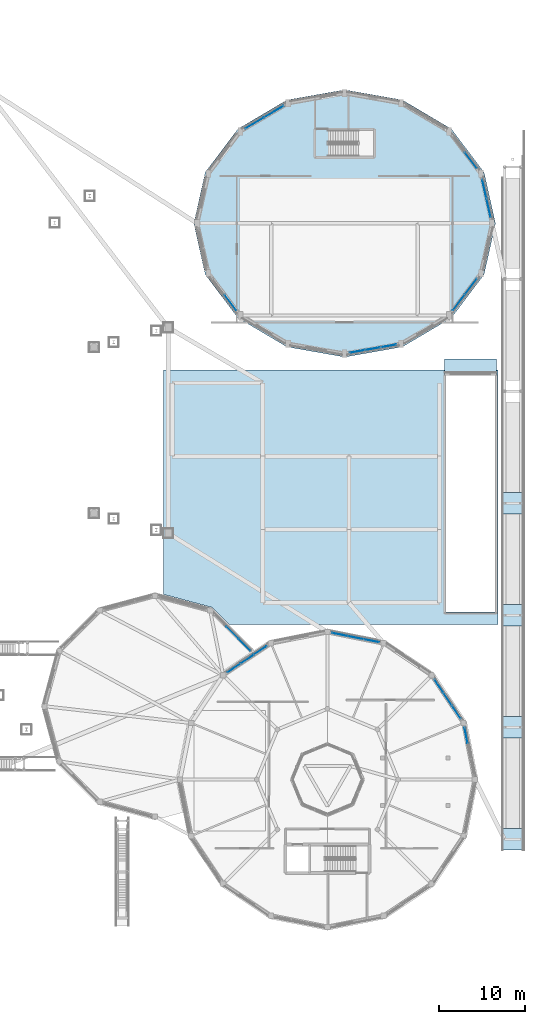
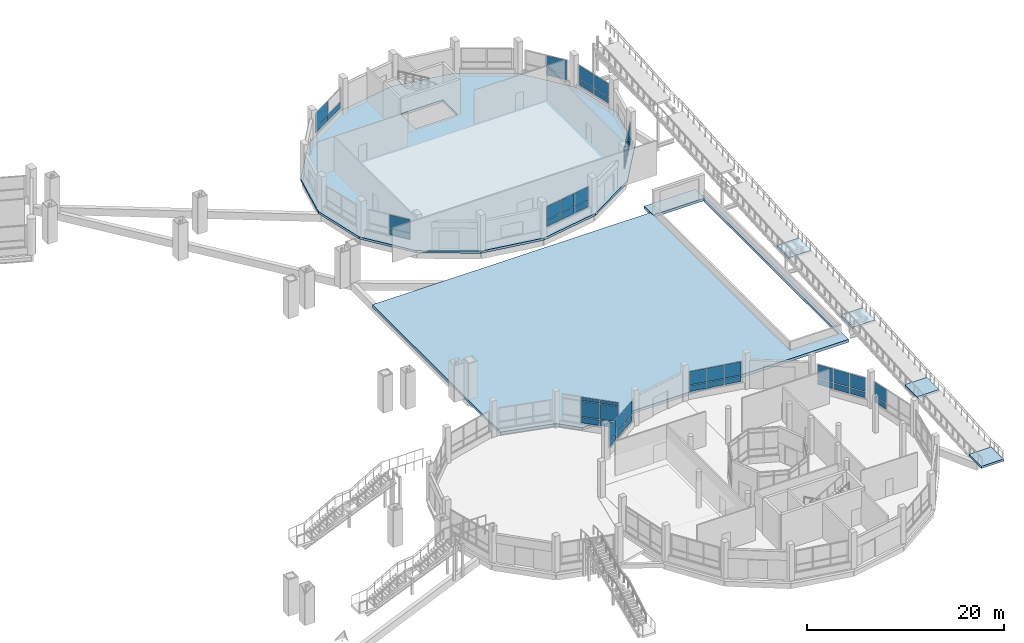
# One storey, part 103 of 129: 47 plates, 7 slabs, 12 elements without a shape of their own.
"""IFC4 building model written with IfcOpenShell, lengths in metres."""

from ifc_helpers import new_model, si_unit, direction, frame, origin, origin_2d, place, context, subcontext, project, spatial, polyline, rectangle, outline, extrude, material, layer, layer_set, type_object, element, aggregate, save


model = new_model("IFC4")

# Units and contexts
model_context = context("Model", 3, precision=1e-05, world=origin(), true_north=direction((0.0, 1.0)))
body_context = subcontext(model_context, "Body", "Model", "MODEL_VIEW")
ifc_project = project(units=[si_unit("LENGTHUNIT", "METRE"), si_unit("AREAUNIT", "SQUARE_METRE"), si_unit("VOLUMEUNIT", "CUBIC_METRE"), si_unit("PLANEANGLEUNIT", "RADIAN"), si_unit("MASSUNIT", "GRAM", prefix="KILO")], contexts=[model_context])

# Site, building, storey
site_placement = place(None, origin())
site = spatial("IfcSite", under=ifc_project, at=site_placement, CompositionType="ELEMENT")
building_placement = place(site_placement, origin())
building = spatial("IfcBuilding", under=site, at=building_placement, Name="Vespera Passage Community Centre", CompositionType="ELEMENT")
storey_placement = place(building_placement, origin())
storey = spatial("IfcBuildingStorey", under=building, at=storey_placement, Name="L00", CompositionType="ELEMENT", Elevation=0.0)

# Curtain wall, plates
ifc_material_1 = material(Name="Anodized aluminium 6063-T6", Category="aluminium")
ifc_layer_1 = layer(ifc_material_1, 0.159912109375)
ifc_layer_set_1 = layer_set([ifc_layer_1], Name="Anodized aluminium 6063-T6")
curtain_wall_type_1 = type_object("IfcCurtainWallType", Name="CW-101E", PredefinedType="NOTDEFINED", material=ifc_layer_set_1)
curtain_wall_1_placement = place(storey_placement, origin())
curtain_wall_1 = element("IfcCurtainWall", 1, at=curtain_wall_1_placement, inside=storey, type_object=curtain_wall_type_1, Name="Dining Drum Ribbon Curtain Wall L00.1", PredefinedType="NOTDEFINED")
ifc_material_2 = material(Name="Low-E insulated vision glass", Category="glass")
ifc_layer_2 = layer(ifc_material_2, 0.02001953125)
ifc_layer_set_2 = layer_set([ifc_layer_2], Name="Low-E insulated vision glass")
plate_type_1 = type_object("IfcPlateType", Name="PL-CWP-20E", PredefinedType="CURTAIN_PANEL", material=ifc_layer_set_2)
plate_1_placement = place(storey_placement, frame((157.084228515625, 30.1064453125, 0.89990234375), z_axis=(0.0, 0.0, 1.0), x_axis=(0.195096778691, -0.980783996069, 0.0)))
plate_1 = element("IfcPlate", 2, at=plate_1_placement, type_object=plate_type_1, Name="CW-101E panel 1.1", PredefinedType="CURTAIN_PANEL", context=body_context, shape_type="SweptSolid", body=[
    extrude(rectangle(XDim=1.789306640625, YDim=0.02001953125, at=origin_2d()), origin(), (0.0, 0.0, 1.0), 0.699951171875),
])
plate_2_placement = place(storey_placement, frame((157.084228515625, 30.1064453125, 1.7001953125), z_axis=(0.0, 0.0, 1.0), x_axis=(0.195096778691, -0.980783996069, 0.0)))
plate_2 = element("IfcPlate", 3, at=plate_2_placement, type_object=plate_type_1, Name="CW-101E panel 1.2", PredefinedType="CURTAIN_PANEL", context=body_context, shape_type="SweptSolid", body=[
    extrude(rectangle(XDim=1.789306640625, YDim=0.02001953125, at=origin_2d()), origin(), (0.0, 0.0, 1.0), 1.675048828125),
])
aggregate(curtain_wall_1, [plate_1, plate_2])

ifc_material_3 = material(Name="Anodized aluminium 6063-T6", Category="aluminium")
ifc_layer_3 = layer(ifc_material_3, 0.159912109375)
ifc_layer_set_3 = layer_set([ifc_layer_3], Name="Anodized aluminium 6063-T6")
curtain_wall_type_2 = type_object("IfcCurtainWallType", Name="CW-102E", PredefinedType="NOTDEFINED", material=ifc_layer_set_3)
curtain_wall_2_placement = place(storey_placement, origin())
curtain_wall_2 = element("IfcCurtainWall", 4, at=curtain_wall_2_placement, inside=storey, type_object=curtain_wall_type_2, Name="Dining Drum Ribbon Curtain Wall L00.2", PredefinedType="NOTDEFINED")
plate_3_placement = place(storey_placement, frame((153.926025390625, 35.842529296875, 0.89990234375), z_axis=(0.0, 0.0, 1.0), x_axis=(0.555564700918, -0.831473308708, 0.0)))
plate_3 = element("IfcPlate", 5, at=plate_3_placement, type_object=plate_type_1, Name="CW-102E panel 1.1", PredefinedType="CURTAIN_PANEL", context=body_context, shape_type="SweptSolid", body=[
    extrude(rectangle(XDim=1.752685546875, YDim=0.02001953125, at=origin_2d()), origin(), (0.0, 0.0, 1.0), 0.699951171875),
])
plate_4_placement = place(storey_placement, frame((153.926025390625, 35.842529296875, 1.7001953125), z_axis=(0.0, 0.0, 1.0), x_axis=(0.555564700918, -0.831473308708, 0.0)))
plate_4 = element("IfcPlate", 6, at=plate_4_placement, type_object=plate_type_1, Name="CW-102E panel 1.2", PredefinedType="CURTAIN_PANEL", context=body_context, shape_type="SweptSolid", body=[
    extrude(rectangle(XDim=1.752685546875, YDim=0.02001953125, at=origin_2d()), origin(), (0.0, 0.0, 1.0), 1.675048828125),
])
plate_5_placement = place(storey_placement, frame((154.94482421875, 34.317626953125, 0.89990234375), z_axis=(0.0, 0.0, 1.0), x_axis=(0.555564700918, -0.831473308708, 0.0)))
plate_5 = element("IfcPlate", 7, at=plate_5_placement, type_object=plate_type_1, Name="CW-102E panel 2.1", PredefinedType="CURTAIN_PANEL", context=body_context, shape_type="SweptSolid", body=[
    extrude(rectangle(XDim=1.78515625, YDim=0.02001953125, at=origin_2d()), origin(), (0.0, 0.0, 1.0), 0.699951171875),
])
plate_6_placement = place(storey_placement, frame((154.94482421875, 34.317626953125, 1.7001953125), z_axis=(0.0, 0.0, 1.0), x_axis=(0.555564700918, -0.831473308708, 0.0)))
plate_6 = element("IfcPlate", 8, at=plate_6_placement, type_object=plate_type_1, Name="CW-102E panel 2.2", PredefinedType="CURTAIN_PANEL", context=body_context, shape_type="SweptSolid", body=[
    extrude(rectangle(XDim=1.78515625, YDim=0.02001953125, at=origin_2d()), origin(), (0.0, 0.0, 1.0), 1.675048828125),
])
plate_7_placement = place(storey_placement, frame((155.963623046875, 32.79296875, 0.89990234375), z_axis=(0.0, 0.0, 1.0), x_axis=(0.555564700918, -0.831473308708, 0.0)))
plate_7 = element("IfcPlate", 9, at=plate_7_placement, type_object=plate_type_1, Name="CW-102E panel 3.1", PredefinedType="CURTAIN_PANEL", context=body_context, shape_type="SweptSolid", body=[
    extrude(rectangle(XDim=1.752685546875, YDim=0.02001953125, at=origin_2d()), origin(), (0.0, 0.0, 1.0), 0.699951171875),
])
plate_8_placement = place(storey_placement, frame((155.963623046875, 32.79296875, 1.7001953125), z_axis=(0.0, 0.0, 1.0), x_axis=(0.555564700918, -0.831473308708, 0.0)))
plate_8 = element("IfcPlate", 10, at=plate_8_placement, type_object=plate_type_1, Name="CW-102E panel 3.2", PredefinedType="CURTAIN_PANEL", context=body_context, shape_type="SweptSolid", body=[
    extrude(rectangle(XDim=1.752685546875, YDim=0.02001953125, at=origin_2d()), origin(), (0.0, 0.0, 1.0), 1.675048828125),
])
aggregate(curtain_wall_2, [plate_3, plate_4, plate_5, plate_6, plate_7, plate_8])

curtain_wall_3_placement = place(storey_placement, origin())
curtain_wall_3 = element("IfcCurtainWall", 11, at=curtain_wall_3_placement, inside=storey, type_object=curtain_wall_type_1, Name="Dining Drum Ribbon Curtain Wall L00.4", PredefinedType="NOTDEFINED")
plate_9_placement = place(storey_placement, frame((142.4375, 41.81396484375, 0.89990234375), z_axis=(0.0, 0.0, 1.0), x_axis=(0.980783996069, -0.195096778691, 0.0)))
plate_9 = element("IfcPlate", 12, at=plate_9_placement, type_object=plate_type_1, Name="CW-101E panel 1.1", PredefinedType="CURTAIN_PANEL", context=body_context, shape_type="SweptSolid", body=[
    extrude(rectangle(XDim=1.789306640625, YDim=0.02001953125, at=origin_2d()), origin(), (0.0, 0.0, 1.0), 0.699951171875),
])
plate_10_placement = place(storey_placement, frame((142.4375, 41.81396484375, 1.7001953125), z_axis=(0.0, 0.0, 1.0), x_axis=(0.980783996069, -0.195096778691, 0.0)))
plate_10 = element("IfcPlate", 13, at=plate_10_placement, type_object=plate_type_1, Name="CW-101E panel 1.2", PredefinedType="CURTAIN_PANEL", context=body_context, shape_type="SweptSolid", body=[
    extrude(rectangle(XDim=1.789306640625, YDim=0.02001953125, at=origin_2d()), origin(), (0.0, 0.0, 1.0), 1.675048828125),
])
plate_11_placement = place(storey_placement, frame((144.27197265625, 41.44921875, 0.89990234375), z_axis=(0.0, 0.0, 1.0), x_axis=(0.980783996069, -0.195096778691, 0.0)))
plate_11 = element("IfcPlate", 14, at=plate_11_placement, type_object=plate_type_1, Name="CW-101E panel 2.1", PredefinedType="CURTAIN_PANEL", context=body_context, shape_type="SweptSolid", body=[
    extrude(rectangle(XDim=1.82177734375, YDim=0.02001953125, at=origin_2d()), origin(), (0.0, 0.0, 1.0), 0.699951171875),
])
plate_12_placement = place(storey_placement, frame((144.27197265625, 41.44921875, 1.7001953125), z_axis=(0.0, 0.0, 1.0), x_axis=(0.980783996069, -0.195096778691, 0.0)))
plate_12 = element("IfcPlate", 15, at=plate_12_placement, type_object=plate_type_1, Name="CW-101E panel 2.2", PredefinedType="CURTAIN_PANEL", context=body_context, shape_type="SweptSolid", body=[
    extrude(rectangle(XDim=1.82177734375, YDim=0.02001953125, at=origin_2d()), origin(), (0.0, 0.0, 1.0), 1.675048828125),
])
plate_13_placement = place(storey_placement, frame((146.1064453125, 41.084228515625, 0.89990234375), z_axis=(0.0, 0.0, 1.0), x_axis=(0.980783996069, -0.195096778691, 0.0)))
plate_13 = element("IfcPlate", 16, at=plate_13_placement, type_object=plate_type_1, Name="CW-101E panel 3.1", PredefinedType="CURTAIN_PANEL", context=body_context, shape_type="SweptSolid", body=[
    extrude(rectangle(XDim=1.789306640625, YDim=0.02001953125, at=origin_2d()), origin(), (0.0, 0.0, 1.0), 0.699951171875),
])
plate_14_placement = place(storey_placement, frame((146.1064453125, 41.084228515625, 1.7001953125), z_axis=(0.0, 0.0, 1.0), x_axis=(0.980783996069, -0.195096778691, 0.0)))
plate_14 = element("IfcPlate", 17, at=plate_14_placement, type_object=plate_type_1, Name="CW-101E panel 3.2", PredefinedType="CURTAIN_PANEL", context=body_context, shape_type="SweptSolid", body=[
    extrude(rectangle(XDim=1.789306640625, YDim=0.02001953125, at=origin_2d()), origin(), (0.0, 0.0, 1.0), 1.675048828125),
])
aggregate(curtain_wall_3, [plate_9, plate_10, plate_11, plate_12, plate_13, plate_14])

curtain_wall_4_placement = place(storey_placement, origin())
curtain_wall_4 = element("IfcCurtainWall", 18, at=curtain_wall_4_placement, inside=storey, type_object=curtain_wall_type_2, Name="Dining Drum Ribbon Curtain Wall L00.6", PredefinedType="NOTDEFINED")
plate_15_placement = place(storey_placement, frame((130.157470703125, 37.926025390625, 0.89990234375), z_axis=(0.0, 0.0, 1.0), x_axis=(0.831473308708, 0.555564700918, 0.0)))
plate_15 = element("IfcPlate", 19, at=plate_15_placement, type_object=plate_type_1, Name="CW-102E panel 1.1", PredefinedType="CURTAIN_PANEL", context=body_context, shape_type="SweptSolid", body=[
    extrude(rectangle(XDim=1.752685546875, YDim=0.02001953125, at=origin_2d()), origin(), (0.0, 0.0, 1.0), 0.699951171875),
])
plate_16_placement = place(storey_placement, frame((130.157470703125, 37.926025390625, 1.7001953125), z_axis=(0.0, 0.0, 1.0), x_axis=(0.831473308708, 0.555564700918, 0.0)))
plate_16 = element("IfcPlate", 20, at=plate_16_placement, type_object=plate_type_1, Name="CW-102E panel 1.2", PredefinedType="CURTAIN_PANEL", context=body_context, shape_type="SweptSolid", body=[
    extrude(rectangle(XDim=1.752685546875, YDim=0.02001953125, at=origin_2d()), origin(), (0.0, 0.0, 1.0), 1.675048828125),
])
plate_17_placement = place(storey_placement, frame((131.682373046875, 38.94482421875, 0.89990234375), z_axis=(0.0, 0.0, 1.0), x_axis=(0.831473308708, 0.555564700918, 0.0)))
plate_17 = element("IfcPlate", 21, at=plate_17_placement, type_object=plate_type_1, Name="CW-102E panel 2.1", PredefinedType="CURTAIN_PANEL", context=body_context, shape_type="SweptSolid", body=[
    extrude(rectangle(XDim=1.78515625, YDim=0.02001953125, at=origin_2d()), origin(), (0.0, 0.0, 1.0), 0.699951171875),
])
plate_18_placement = place(storey_placement, frame((131.682373046875, 38.94482421875, 1.7001953125), z_axis=(0.0, 0.0, 1.0), x_axis=(0.831473308708, 0.555564700918, 0.0)))
plate_18 = element("IfcPlate", 22, at=plate_18_placement, type_object=plate_type_1, Name="CW-102E panel 2.2", PredefinedType="CURTAIN_PANEL", context=body_context, shape_type="SweptSolid", body=[
    extrude(rectangle(XDim=1.78515625, YDim=0.02001953125, at=origin_2d()), origin(), (0.0, 0.0, 1.0), 1.675048828125),
])
plate_19_placement = place(storey_placement, frame((133.20703125, 39.963623046875, 0.89990234375), z_axis=(0.0, 0.0, 1.0), x_axis=(0.831473308708, 0.555564700918, 0.0)))
plate_19 = element("IfcPlate", 23, at=plate_19_placement, type_object=plate_type_1, Name="CW-102E panel 3.1", PredefinedType="CURTAIN_PANEL", context=body_context, shape_type="SweptSolid", body=[
    extrude(rectangle(XDim=1.752685546875, YDim=0.02001953125, at=origin_2d()), origin(), (0.0, 0.0, 1.0), 0.699951171875),
])
plate_20_placement = place(storey_placement, frame((133.20703125, 39.963623046875, 1.7001953125), z_axis=(0.0, 0.0, 1.0), x_axis=(0.831473308708, 0.555564700918, 0.0)))
plate_20 = element("IfcPlate", 24, at=plate_20_placement, type_object=plate_type_1, Name="CW-102E panel 3.2", PredefinedType="CURTAIN_PANEL", context=body_context, shape_type="SweptSolid", body=[
    extrude(rectangle(XDim=1.752685546875, YDim=0.02001953125, at=origin_2d()), origin(), (0.0, 0.0, 1.0), 1.675048828125),
])
aggregate(curtain_wall_4, [plate_15, plate_16, plate_17, plate_18, plate_19, plate_20])

ifc_material_4 = material(Name="Anodized aluminium 6063-T6", Category="aluminium")
ifc_layer_4 = layer(ifc_material_4, 0.159912109375)
ifc_layer_set_4 = layer_set([ifc_layer_4], Name="Anodized aluminium 6063-T6")
curtain_wall_type_3 = type_object("IfcCurtainWallType", Name="CW-111E", PredefinedType="NOTDEFINED", material=ifc_layer_set_4)
curtain_wall_5_placement = place(storey_placement, origin())
curtain_wall_5 = element("IfcCurtainWall", 25, at=curtain_wall_5_placement, inside=storey, type_object=curtain_wall_type_3, Name="Passage Espresso Cafe Ribbon Curtain Wall 2", PredefinedType="NOTDEFINED")
plate_21_placement = place(storey_placement, frame((129.963134765625, 42.021728515625, 0.8798828125), z_axis=(0.0, 0.0, 1.0), x_axis=(0.707106781187, -0.707106781187, 0.0)))
plate_21 = element("IfcPlate", 26, at=plate_21_placement, type_object=plate_type_1, Name="CW-111E panel 2.1", PredefinedType="CURTAIN_PANEL", context=body_context, shape_type="SweptSolid", body=[
    extrude(rectangle(XDim=1.935546875, YDim=0.02001953125, at=origin_2d()), origin(), (0.0, 0.0, 1.0), 0.699951171875),
])
plate_22_placement = place(storey_placement, frame((129.963134765625, 42.021728515625, 1.679931640625), z_axis=(0.0, 0.0, 1.0), x_axis=(0.707106781187, -0.707106781187, 0.0)))
plate_22 = element("IfcPlate", 27, at=plate_22_placement, type_object=plate_type_1, Name="CW-111E panel 2.2", PredefinedType="CURTAIN_PANEL", context=body_context, shape_type="SweptSolid", body=[
    extrude(rectangle(XDim=1.935546875, YDim=0.02001953125, at=origin_2d()), origin(), (0.0, 0.0, 1.0), 1.89990234375),
])
plate_23_placement = place(storey_placement, frame((129.963134765625, 42.021728515625, 3.679931640625), z_axis=(0.0, 0.0, 1.0), x_axis=(0.707106781187, -0.707106781187, 0.0)))
plate_23 = element("IfcPlate", 28, at=plate_23_placement, type_object=plate_type_1, Name="CW-111E panel 2.3", PredefinedType="CURTAIN_PANEL", context=body_context, shape_type="SweptSolid", body=[
    extrude(rectangle(XDim=1.935546875, YDim=0.02001953125, at=origin_2d()), origin(), (0.0, 0.0, 1.0), 0.39990234375),
])
plate_24_placement = place(storey_placement, frame((131.3662109375, 40.61865234375, 0.8798828125), z_axis=(0.0, 0.0, 1.0), x_axis=(0.707106781187, -0.707106781187, 0.0)))
plate_24 = element("IfcPlate", 29, at=plate_24_placement, type_object=plate_type_1, Name="CW-111E panel 3.1", PredefinedType="CURTAIN_PANEL", context=body_context, shape_type="SweptSolid", body=[
    extrude(rectangle(XDim=1.903076171875, YDim=0.02001953125, at=origin_2d()), origin(), (0.0, 0.0, 1.0), 0.699951171875),
])
plate_25_placement = place(storey_placement, frame((131.3662109375, 40.61865234375, 1.679931640625), z_axis=(0.0, 0.0, 1.0), x_axis=(0.707106781187, -0.707106781187, 0.0)))
plate_25 = element("IfcPlate", 30, at=plate_25_placement, type_object=plate_type_1, Name="CW-111E panel 3.2", PredefinedType="CURTAIN_PANEL", context=body_context, shape_type="SweptSolid", body=[
    extrude(rectangle(XDim=1.903076171875, YDim=0.02001953125, at=origin_2d()), origin(), (0.0, 0.0, 1.0), 1.89990234375),
])
plate_26_placement = place(storey_placement, frame((131.3662109375, 40.61865234375, 3.679931640625), z_axis=(0.0, 0.0, 1.0), x_axis=(0.707106781187, -0.707106781187, 0.0)))
plate_26 = element("IfcPlate", 31, at=plate_26_placement, type_object=plate_type_1, Name="CW-111E panel 3.3", PredefinedType="CURTAIN_PANEL", context=body_context, shape_type="SweptSolid", body=[
    extrude(rectangle(XDim=1.903076171875, YDim=0.02001953125, at=origin_2d()), origin(), (0.0, 0.0, 1.0), 0.39990234375),
])
aggregate(curtain_wall_5, [plate_21, plate_22, plate_23, plate_24, plate_25, plate_26])

ifc_material_5 = material(Name="Anodized aluminium 6063-T6", Category="aluminium")
ifc_layer_5 = layer(ifc_material_5, 0.159912109375)
ifc_layer_set_5 = layer_set([ifc_layer_5], Name="Anodized aluminium 6063-T6")
curtain_wall_type_4 = type_object("IfcCurtainWallType", Name="CW-89E", PredefinedType="NOTDEFINED", material=ifc_layer_set_5)
curtain_wall_6_placement = place(storey_placement, origin())
curtain_wall_6 = element("IfcCurtainWall", 32, at=curtain_wall_6_placement, inside=storey, type_object=curtain_wall_type_4, Name="Sports Drum Ribbon Curtain Wall L00.1", PredefinedType="NOTDEFINED")
ifc_material_6 = material(Name="Low-E insulated vision glass", Category="glass")
ifc_layer_6 = layer(ifc_material_6, 0.028076171875)
ifc_layer_set_6 = layer_set([ifc_layer_6], Name="Low-E insulated vision glass")
plate_type_2 = type_object("IfcPlateType", Name="PL-CWP-28E", PredefinedType="CURTAIN_PANEL", material=ifc_layer_set_6)
plate_27_placement = place(storey_placement, frame((159.2021484375, 93.48583984375, 0.91015625), z_axis=(0.0, 0.0, 1.0), x_axis=(0.219762591846, -0.975553383073, 0.0)))
plate_27 = element("IfcPlate", 33, at=plate_27_placement, type_object=plate_type_2, Name="CW-89E panel 1.1", PredefinedType="CURTAIN_PANEL", context=body_context, shape_type="SweptSolid", body=[
    extrude(rectangle(XDim=2.1728515625, YDim=0.028076171875, at=origin_2d()), origin(), (0.0, 0.0, 1.0), 0.760009765625),
])
plate_28_placement = place(storey_placement, frame((159.2021484375, 93.48583984375, 1.72998046875), z_axis=(0.0, 0.0, 1.0), x_axis=(0.219762591846, -0.975553383073, 0.0)))
plate_28 = element("IfcPlate", 34, at=plate_28_placement, type_object=plate_type_2, Name="CW-89E panel 1.2", PredefinedType="CURTAIN_PANEL", context=body_context, shape_type="SweptSolid", body=[
    extrude(rectangle(XDim=2.1728515625, YDim=0.028076171875, at=origin_2d()), origin(), (0.0, 0.0, 1.0), 1.635009765625),
])
plate_29_placement = place(storey_placement, frame((159.696044921875, 91.292724609375, 0.91015625), z_axis=(0.0, 0.0, 1.0), x_axis=(0.219762591846, -0.975553383073, 0.0)))
plate_29 = element("IfcPlate", 35, at=plate_29_placement, type_object=plate_type_2, Name="CW-89E panel 2.1", PredefinedType="CURTAIN_PANEL", context=body_context, shape_type="SweptSolid", body=[
    extrude(rectangle(XDim=2.1728515625, YDim=0.028076171875, at=origin_2d()), origin(), (0.0, 0.0, 1.0), 0.760009765625),
])
plate_30_placement = place(storey_placement, frame((159.696044921875, 91.292724609375, 1.72998046875), z_axis=(0.0, 0.0, 1.0), x_axis=(0.219762591846, -0.975553383073, 0.0)))
plate_30 = element("IfcPlate", 36, at=plate_30_placement, type_object=plate_type_2, Name="CW-89E panel 2.2", PredefinedType="CURTAIN_PANEL", context=body_context, shape_type="SweptSolid", body=[
    extrude(rectangle(XDim=2.1728515625, YDim=0.028076171875, at=origin_2d()), origin(), (0.0, 0.0, 1.0), 1.635009765625),
])
aggregate(curtain_wall_6, [plate_27, plate_28, plate_29, plate_30])

ifc_material_7 = material(Name="Anodized aluminium 6063-T6", Category="aluminium")
ifc_layer_7 = layer(ifc_material_7, 0.159912109375)
ifc_layer_set_7 = layer_set([ifc_layer_7], Name="Anodized aluminium 6063-T6")
curtain_wall_type_5 = type_object("IfcCurtainWallType", Name="CW-90E", PredefinedType="NOTDEFINED", material=ifc_layer_set_7)
curtain_wall_7_placement = place(storey_placement, origin())
curtain_wall_7 = element("IfcCurtainWall", 37, at=curtain_wall_7_placement, inside=storey, type_object=curtain_wall_type_5, Name="Sports Drum Ribbon Curtain Wall L00.2", PredefinedType="NOTDEFINED")
plate_31_placement = place(storey_placement, frame((157.6455078125, 96.802001953125, 0.91015625), z_axis=(0.0, 0.0, 1.0), x_axis=(0.603405522961, -0.797434495654, 0.0)))
plate_31 = element("IfcPlate", 38, at=plate_31_placement, type_object=plate_type_2, Name="CW-90E panel 2.1", PredefinedType="CURTAIN_PANEL", context=body_context, shape_type="SweptSolid", body=[
    extrude(rectangle(XDim=2.246826171875, YDim=0.028076171875, at=origin_2d()), origin(), (0.0, 0.0, 1.0), 0.760009765625),
])
plate_32_placement = place(storey_placement, frame((157.6455078125, 96.802001953125, 1.72998046875), z_axis=(0.0, 0.0, 1.0), x_axis=(0.603405522961, -0.797434495654, 0.0)))
plate_32 = element("IfcPlate", 39, at=plate_32_placement, type_object=plate_type_2, Name="CW-90E panel 2.2", PredefinedType="CURTAIN_PANEL", context=body_context, shape_type="SweptSolid", body=[
    extrude(rectangle(XDim=2.246826171875, YDim=0.028076171875, at=origin_2d()), origin(), (0.0, 0.0, 1.0), 1.635009765625),
])
aggregate(curtain_wall_7, [plate_31, plate_32])

ifc_material_8 = material(Name="Anodized aluminium 6063-T6", Category="aluminium")
ifc_layer_8 = layer(ifc_material_8, 0.159912109375)
ifc_layer_set_8 = layer_set([ifc_layer_8], Name="Anodized aluminium 6063-T6")
curtain_wall_type_6 = type_object("IfcCurtainWallType", Name="CW-91E", PredefinedType="NOTDEFINED", material=ifc_layer_set_8)
curtain_wall_8_placement = place(storey_placement, origin())
curtain_wall_8 = element("IfcCurtainWall", 40, at=curtain_wall_8_placement, inside=storey, type_object=curtain_wall_type_6, Name="Sports Drum Ribbon Curtain Wall L00.6", PredefinedType="NOTDEFINED")
plate_33_placement = place(storey_placement, frame((132.55419921875, 101.148193359375, 0.91015625), z_axis=(0.0, 0.0, 1.0), x_axis=(0.861256740157, 0.50817007737, 0.0)))
plate_33 = element("IfcPlate", 41, at=plate_33_placement, type_object=plate_type_2, Name="CW-91E panel 1.1", PredefinedType="CURTAIN_PANEL", context=body_context, shape_type="SweptSolid", body=[
    extrude(rectangle(XDim=2.544677734375, YDim=0.028076171875, at=origin_2d()), origin(), (0.0, 0.0, 1.0), 0.760009765625),
])
plate_34_placement = place(storey_placement, frame((132.55419921875, 101.148193359375, 1.72998046875), z_axis=(0.0, 0.0, 1.0), x_axis=(0.861256740157, 0.50817007737, 0.0)))
plate_34 = element("IfcPlate", 42, at=plate_34_placement, type_object=plate_type_2, Name="CW-91E panel 1.2", PredefinedType="CURTAIN_PANEL", context=body_context, shape_type="SweptSolid", body=[
    extrude(rectangle(XDim=2.544677734375, YDim=0.028076171875, at=origin_2d()), origin(), (0.0, 0.0, 1.0), 1.635009765625),
])
plate_35_placement = place(storey_placement, frame((134.810546875, 102.4794921875, 0.91015625), z_axis=(0.0, 0.0, 1.0), x_axis=(0.861256740157, 0.50817007737, 0.0)))
plate_35 = element("IfcPlate", 43, at=plate_35_placement, type_object=plate_type_2, Name="CW-91E panel 2.1", PredefinedType="CURTAIN_PANEL", context=body_context, shape_type="SweptSolid", body=[
    extrude(rectangle(XDim=2.544677734375, YDim=0.028076171875, at=origin_2d()), origin(), (0.0, 0.0, 1.0), 0.760009765625),
])
aggregate(curtain_wall_8, [plate_33, plate_34, plate_35])

curtain_wall_9_placement = place(storey_placement, origin())
curtain_wall_9 = element("IfcCurtainWall", 44, at=curtain_wall_9_placement, inside=storey, type_object=curtain_wall_type_5, Name="Sports Drum Ribbon Curtain Wall L00.10", PredefinedType="NOTDEFINED")
plate_36_placement = place(storey_placement, frame((129.755615234375, 80.34619140625, 0.91015625), z_axis=(0.0, 0.0, 1.0), x_axis=(-0.603405522961, 0.797434495654, 0.0)))
plate_36 = element("IfcPlate", 45, at=plate_36_placement, type_object=plate_type_2, Name="CW-90E panel 1.1", PredefinedType="CURTAIN_PANEL", context=body_context, shape_type="SweptSolid", body=[
    extrude(rectangle(XDim=2.246826171875, YDim=0.028076171875, at=origin_2d()), origin(), (0.0, 0.0, 1.0), 0.760009765625),
])
plate_37_placement = place(storey_placement, frame((129.755615234375, 80.34619140625, 1.72998046875), z_axis=(0.0, 0.0, 1.0), x_axis=(-0.603405522961, 0.797434495654, 0.0)))
plate_37 = element("IfcPlate", 46, at=plate_37_placement, type_object=plate_type_2, Name="CW-90E panel 1.2", PredefinedType="CURTAIN_PANEL", context=body_context, shape_type="SweptSolid", body=[
    extrude(rectangle(XDim=2.246826171875, YDim=0.028076171875, at=origin_2d()), origin(), (0.0, 0.0, 1.0), 1.635009765625),
])
aggregate(curtain_wall_9, [plate_36, plate_37])

ifc_material_9 = material(Name="Anodized aluminium 6063-T6", Category="aluminium")
ifc_layer_9 = layer(ifc_material_9, 0.159912109375)
ifc_layer_set_9 = layer_set([ifc_layer_9], Name="Anodized aluminium 6063-T6")
curtain_wall_type_7 = type_object("IfcCurtainWallType", Name="CW-92E", PredefinedType="NOTDEFINED", material=ifc_layer_set_9)
curtain_wall_10_placement = place(storey_placement, origin())
curtain_wall_10 = element("IfcCurtainWall", 47, at=curtain_wall_10_placement, inside=storey, type_object=curtain_wall_type_7, Name="Sports Drum Ribbon Curtain Wall L00.13", PredefinedType="NOTDEFINED")
plate_38_placement = place(storey_placement, frame((148.093505859375, 75.294677734375, 0.91015625), z_axis=(0.0, 0.0, 1.0), x_axis=(-0.984922802731, -0.172994429562, 0.0)))
plate_38 = element("IfcPlate", 48, at=plate_38_placement, type_object=plate_type_2, Name="CW-92E panel 1.1", PredefinedType="CURTAIN_PANEL", context=body_context, shape_type="SweptSolid", body=[
    extrude(rectangle(XDim=1.755859375, YDim=0.028076171875, at=origin_2d()), origin(), (0.0, 0.0, 1.0), 0.760009765625),
])
plate_39_placement = place(storey_placement, frame((148.093505859375, 75.294677734375, 1.72998046875), z_axis=(0.0, 0.0, 1.0), x_axis=(-0.984922802731, -0.172994429562, 0.0)))
plate_39 = element("IfcPlate", 49, at=plate_39_placement, type_object=plate_type_2, Name="CW-92E panel 1.2", PredefinedType="CURTAIN_PANEL", context=body_context, shape_type="SweptSolid", body=[
    extrude(rectangle(XDim=1.755859375, YDim=0.028076171875, at=origin_2d()), origin(), (0.0, 0.0, 1.0), 1.635009765625),
])
plate_40_placement = place(storey_placement, frame((146.27197265625, 74.974609375, 0.91015625), z_axis=(0.0, 0.0, 1.0), x_axis=(-0.984922802731, -0.172994429562, 0.0)))
plate_40 = element("IfcPlate", 50, at=plate_40_placement, type_object=plate_type_2, Name="CW-92E panel 2.1", PredefinedType="CURTAIN_PANEL", context=body_context, shape_type="SweptSolid", body=[
    extrude(rectangle(XDim=1.793212890625, YDim=0.028076171875, at=origin_2d()), origin(), (0.0, 0.0, 1.0), 0.760009765625),
])
plate_41_placement = place(storey_placement, frame((146.27197265625, 74.974609375, 1.72998046875), z_axis=(0.0, 0.0, 1.0), x_axis=(-0.984922802731, -0.172994429562, 0.0)))
plate_41 = element("IfcPlate", 51, at=plate_41_placement, type_object=plate_type_2, Name="CW-92E panel 2.2", PredefinedType="CURTAIN_PANEL", context=body_context, shape_type="SweptSolid", body=[
    extrude(rectangle(XDim=1.793212890625, YDim=0.028076171875, at=origin_2d()), origin(), (0.0, 0.0, 1.0), 1.635009765625),
])
plate_42_placement = place(storey_placement, frame((144.4501953125, 74.65478515625, 0.91015625), z_axis=(0.0, 0.0, 1.0), x_axis=(-0.984922802731, -0.172994429562, 0.0)))
plate_42 = element("IfcPlate", 52, at=plate_42_placement, type_object=plate_type_2, Name="CW-92E panel 3.1", PredefinedType="CURTAIN_PANEL", context=body_context, shape_type="SweptSolid", body=[
    extrude(rectangle(XDim=1.755859375, YDim=0.028076171875, at=origin_2d()), origin(), (0.0, 0.0, 1.0), 0.760009765625),
])
plate_43_placement = place(storey_placement, frame((144.4501953125, 74.65478515625, 1.72998046875), z_axis=(0.0, 0.0, 1.0), x_axis=(-0.984922802731, -0.172994429562, 0.0)))
plate_43 = element("IfcPlate", 53, at=plate_43_placement, type_object=plate_type_2, Name="CW-92E panel 3.2", PredefinedType="CURTAIN_PANEL", context=body_context, shape_type="SweptSolid", body=[
    extrude(rectangle(XDim=1.755859375, YDim=0.028076171875, at=origin_2d()), origin(), (0.0, 0.0, 1.0), 1.635009765625),
])
aggregate(curtain_wall_10, [plate_38, plate_39, plate_40, plate_41, plate_42, plate_43])

curtain_wall_11_placement = place(storey_placement, origin())
curtain_wall_11 = element("IfcCurtainWall", 54, at=curtain_wall_11_placement, inside=storey, type_object=curtain_wall_type_5, Name="Sports Drum Ribbon Curtain Wall L00.15", PredefinedType="NOTDEFINED")
plate_44_placement = place(storey_placement, frame((157.6455078125, 82.197998046875, 0.91015625), z_axis=(0.0, 0.0, 1.0), x_axis=(-0.603405522961, -0.797434495654, 0.0)))
plate_44 = element("IfcPlate", 55, at=plate_44_placement, type_object=plate_type_2, Name="CW-90E panel 1.1", PredefinedType="CURTAIN_PANEL", context=body_context, shape_type="SweptSolid", body=[
    extrude(rectangle(XDim=2.246826171875, YDim=0.028076171875, at=origin_2d()), origin(), (0.0, 0.0, 1.0), 0.760009765625),
])
plate_45_placement = place(storey_placement, frame((157.6455078125, 82.197998046875, 1.72998046875), z_axis=(0.0, 0.0, 1.0), x_axis=(-0.603405522961, -0.797434495654, 0.0)))
plate_45 = element("IfcPlate", 56, at=plate_45_placement, type_object=plate_type_2, Name="CW-90E panel 1.2", PredefinedType="CURTAIN_PANEL", context=body_context, shape_type="SweptSolid", body=[
    extrude(rectangle(XDim=2.246826171875, YDim=0.028076171875, at=origin_2d()), origin(), (0.0, 0.0, 1.0), 1.635009765625),
])
plate_46_placement = place(storey_placement, frame((156.244384765625, 80.34619140625, 0.91015625), z_axis=(0.0, 0.0, 1.0), x_axis=(-0.603405522961, -0.797434495654, 0.0)))
plate_46 = element("IfcPlate", 57, at=plate_46_placement, type_object=plate_type_2, Name="CW-90E panel 2.1", PredefinedType="CURTAIN_PANEL", context=body_context, shape_type="SweptSolid", body=[
    extrude(rectangle(XDim=2.246826171875, YDim=0.028076171875, at=origin_2d()), origin(), (0.0, 0.0, 1.0), 0.760009765625),
])
plate_47_placement = place(storey_placement, frame((156.244384765625, 80.34619140625, 1.72998046875), z_axis=(0.0, 0.0, 1.0), x_axis=(-0.603405522961, -0.797434495654, 0.0)))
plate_47 = element("IfcPlate", 58, at=plate_47_placement, type_object=plate_type_2, Name="CW-90E panel 2.2", PredefinedType="CURTAIN_PANEL", context=body_context, shape_type="SweptSolid", body=[
    extrude(rectangle(XDim=2.246826171875, YDim=0.028076171875, at=origin_2d()), origin(), (0.0, 0.0, 1.0), 1.635009765625),
])
aggregate(curtain_wall_11, [plate_44, plate_45, plate_46, plate_47])

# Slabs
ifc_material_10 = material(Name="Concrete f'c 35 MPa", Category="concrete")
ifc_layer_10 = layer(ifc_material_10, 0.280029296875)
ifc_layer_set_10 = layer_set([ifc_layer_10], Name="Concrete f'c 35 MPa")
slab_type_1 = type_object("IfcSlabType", Name="SL-DRUM-280", PredefinedType="FLOOR", material=ifc_layer_set_10)
slab_1_placement = place(storey_placement, frame((0.0, 0.0, -0.280029296875)))
element("IfcSlab", 59, at=slab_1_placement, inside=storey, type_object=slab_type_1, Name="V2 L00 Sports Hall Floor Slab", PredefinedType="FLOOR", context=body_context, shape_type="SweptSolid", body=[
    extrude(outline(polyline([(159.16796875, 83.568359375), (155.37451171875, 78.539794921875), (149.697021484375, 75.179931640625), (143.0, 74.0), (136.302978515625, 75.179931640625), (130.62548828125, 78.539794921875), (126.83203125, 83.568359375), (125.5, 89.5), (126.83203125, 95.431640625), (130.62548828125, 100.460205078125), (136.302978515625, 103.820068359375), (143.0, 105.0), (149.697021484375, 103.820068359375), (155.37451171875, 100.460205078125), (159.16796875, 95.431640625), (160.5, 89.5), (159.16796875, 83.568359375)]), holes=[polyline([(146.324951171875, 97.300048828125), (146.324951171875, 100.300048828125), (141.35498046875, 100.300048828125), (141.35498046875, 97.300048828125), (146.324951171875, 97.300048828125)])]), origin(), (0.0, 0.0, 1.0), 0.280029296875),
])
ifc_material_11 = material(Name="Concrete f'c 35 MPa", Category="concrete")
ifc_layer_11 = layer(ifc_material_11, 0.340087890625)
ifc_layer_set_11 = layer_set([ifc_layer_11], Name="Concrete f'c 35 MPa")
slab_type_2 = type_object("IfcSlabType", Name="SL-PLAZA-340E", PredefinedType="FLOOR", material=ifc_layer_set_11)
slab_2_placement = place(storey_placement, frame((0.0, 0.0, -0.340087890625)))
element("IfcSlab", 60, at=slab_2_placement, inside=storey, type_object=slab_type_2, Name="L00 East Courtyard Plaza Deck Over Car Park", PredefinedType="FLOOR", context=body_context, shape_type="SweptSolid", body=[
    extrude(outline(polyline([(129.573974609375, 43.0), (127.615478515625, 44.95849609375), (122.0, 46.463134765625), (122.0, 72.5), (154.580078125, 72.5), (154.580078125, 71.8798828125), (154.699951171875, 71.8798828125), (154.699951171875, 44.39990234375), (160.5, 44.39990234375), (160.5, 71.8798828125), (160.6201171875, 71.8798828125), (160.6201171875, 72.5), (160.800048828125, 72.5), (160.800048828125, 43.0), (129.573974609375, 43.0)])), origin(), (0.0, 0.0, 1.0), 0.340087890625),
])
slab_3_placement = place(storey_placement, frame((0.0, 0.0, -0.340087890625)))
element("IfcSlab", 61, at=slab_3_placement, inside=storey, type_object=slab_type_2, Name="Vehicle Ramp Grade Apron Slab", PredefinedType="FLOOR", context=body_context, shape_type="SweptSolid", body=[
    extrude(outline(polyline([(154.60009765625, 72.0), (160.60009765625, 72.0), (160.60009765625, 73.800048828125), (154.60009765625, 73.800048828125), (154.60009765625, 72.0)])), origin(), (0.0, 0.0, 1.0), 0.340087890625),
])

# Ramp, slabs
ifc_material_12 = material(Name="Concrete f'c 35 MPa", Category="concrete")
ramp_type = type_object("IfcRampType", Name="RMP-BRIDGE", PredefinedType="STRAIGHT_RUN_RAMP", material=ifc_material_12)
ramp_placement = place(storey_placement, origin())
ramp = element("IfcRamp", 62, at=ramp_placement, inside=storey, type_object=ramp_type, Name="East Court Ramped Garden Bridge RB1", PredefinedType="STRAIGHT_RUN_RAMP")
ifc_material_13 = material(Name="Concrete f'c 35 MPa", Category="concrete")
ifc_layer_12 = layer(ifc_material_13, 0.260009765625)
ifc_layer_set_12 = layer_set([ifc_layer_12], Name="Concrete f'c 35 MPa")
slab_type_3 = type_object("IfcSlabType", Name="SL-RLAND-260E", PredefinedType="LANDING", material=ifc_layer_set_12)
slab_4_placement = place(storey_placement, frame((0.0, 0.0, -0.260009765625)))
slab_4 = element("IfcSlab", 63, at=slab_4_placement, inside=storey, type_object=slab_type_3, Name="Ramped Garden Bridge Landing 1", PredefinedType="LANDING", context=body_context, shape_type="SweptSolid", body=[
    extrude(outline(polyline([(161.199951171875, 16.800048828125), (163.800048828125, 16.800048828125), (163.800048828125, 19.300048828125), (161.199951171875, 19.300048828125), (161.199951171875, 16.800048828125)])), origin(), (0.0, 0.0, 1.0), 0.260009765625),
])
slab_5_placement = place(storey_placement, frame((0.0, 0.0, 0.489990234375)))
slab_5 = element("IfcSlab", 64, at=slab_5_placement, inside=storey, type_object=slab_type_3, Name="Ramped Garden Bridge Landing 2", PredefinedType="LANDING", context=body_context, shape_type="SweptSolid", body=[
    extrude(outline(polyline([(161.199951171875, 29.800048828125), (163.800048828125, 29.800048828125), (163.800048828125, 32.300048828125), (161.199951171875, 32.300048828125), (161.199951171875, 29.800048828125)])), origin(), (0.0, 0.0, 1.0), 0.260009765625),
])
slab_6_placement = place(storey_placement, frame((0.0, 0.0, 1.239990234375)))
slab_6 = element("IfcSlab", 65, at=slab_6_placement, inside=storey, type_object=slab_type_3, Name="Ramped Garden Bridge Landing 3", PredefinedType="LANDING", context=body_context, shape_type="SweptSolid", body=[
    extrude(outline(polyline([(161.199951171875, 42.800048828125), (163.800048828125, 42.800048828125), (163.800048828125, 45.300048828125), (161.199951171875, 45.300048828125), (161.199951171875, 42.800048828125)])), origin(), (0.0, 0.0, 1.0), 0.260009765625),
])
slab_7_placement = place(storey_placement, frame((0.0, 0.0, 1.989990234375)))
slab_7 = element("IfcSlab", 66, at=slab_7_placement, inside=storey, type_object=slab_type_3, Name="Ramped Garden Bridge Landing 4", PredefinedType="LANDING", context=body_context, shape_type="SweptSolid", body=[
    extrude(outline(polyline([(161.199951171875, 55.800048828125), (163.800048828125, 55.800048828125), (163.800048828125, 58.300048828125), (161.199951171875, 58.300048828125), (161.199951171875, 55.800048828125)])), origin(), (0.0, 0.0, 1.0), 0.260009765625),
])
aggregate(ramp, [slab_4, slab_5, slab_6, slab_7])

save(model, "model.ifc")
